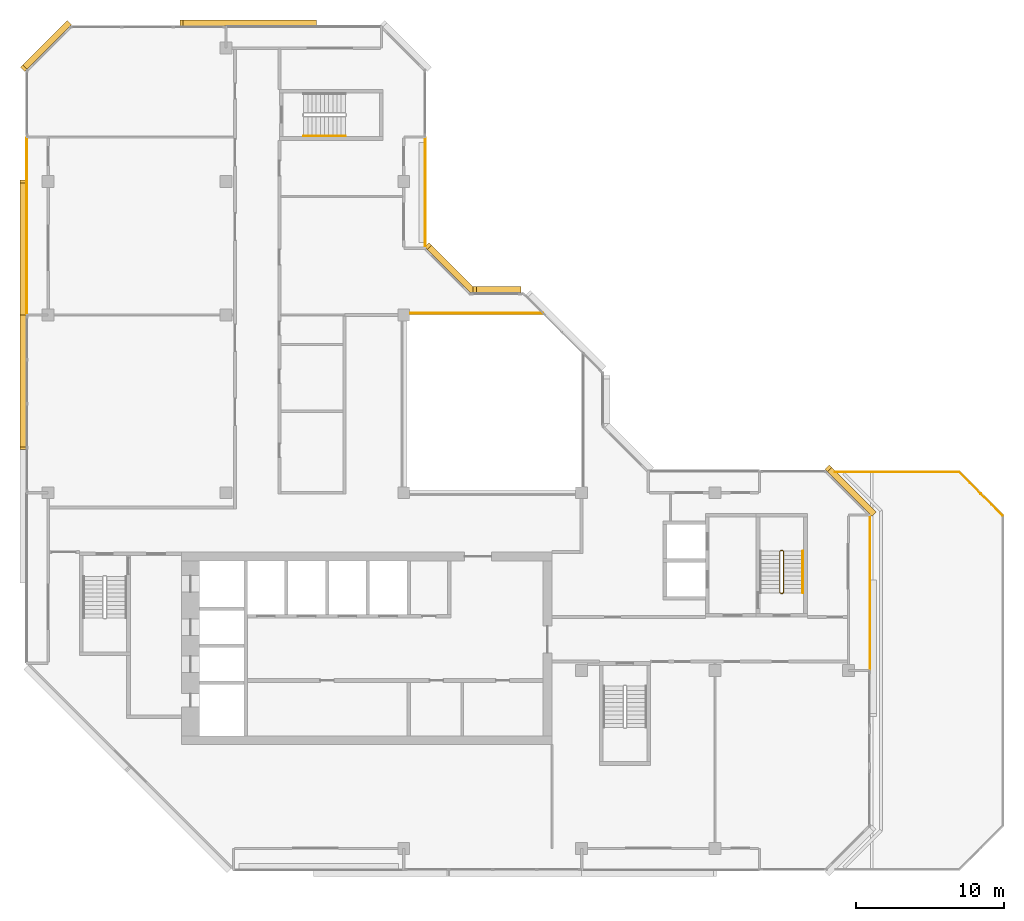
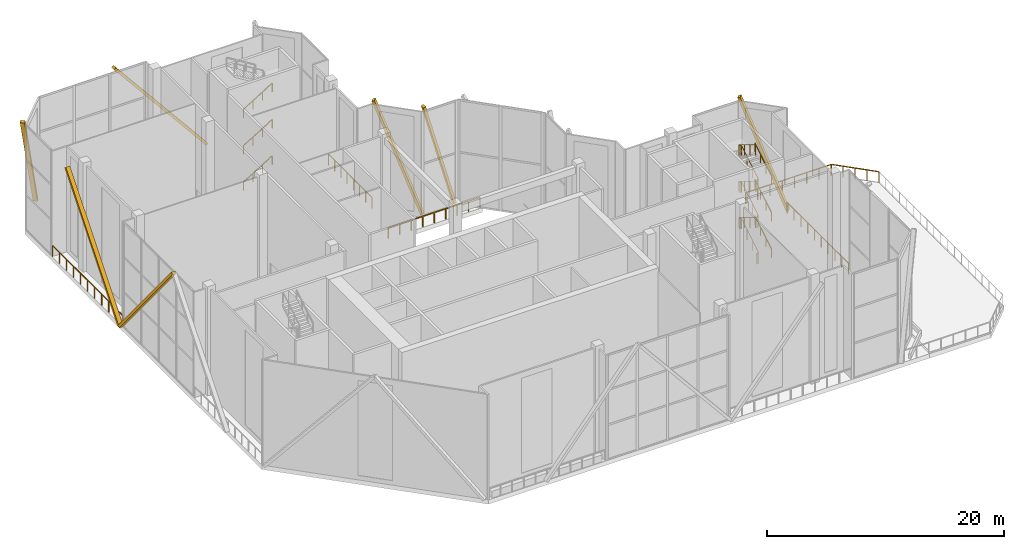
# One storey, part 15 of 16: 12 railings, 7 coverings.
"""IFC4 building model written with IfcOpenShell, lengths in metres."""

from ifc_helpers import new_model, si_unit, direction, frame, origin, origin_2d, place, context, subcontext, project, spatial, rectangle, extrude, material, material_profile, profile_set, type_object, element, save


model = new_model("IFC4")

# Units and contexts
model_context = context("Model", 3, precision=1e-05, world=origin(), true_north=direction((0.0, 1.0)))
body_context = subcontext(model_context, "Body", "Model", "MODEL_VIEW")
ifc_project = project(units=[si_unit("LENGTHUNIT", "METRE"), si_unit("AREAUNIT", "SQUARE_METRE"), si_unit("VOLUMEUNIT", "CUBIC_METRE"), si_unit("PLANEANGLEUNIT", "RADIAN"), si_unit("MASSUNIT", "GRAM", prefix="KILO")], contexts=[model_context])

# Site, building, storey
site_placement = place(None, origin())
site = spatial("IfcSite", under=ifc_project, at=site_placement, CompositionType="ELEMENT")
building_placement = place(site_placement, origin())
building = spatial("IfcBuilding", under=site, at=building_placement, Name="Chenar Terraces", CompositionType="ELEMENT")
storey_placement = place(building_placement, frame((0.0, 0.0, 327.64990234375)))
storey = spatial("IfcBuildingStorey", under=building, at=storey_placement, Name="L77", CompositionType="ELEMENT", Elevation=327.64990234375)

# Railings
ifc_material_1 = material(Name="Powder-coated steel", Category="steel")
railing_type_1 = type_object("IfcRailingType", Name="Guard 1100 steel rail with glass infill", PredefinedType="GUARDRAIL", material=ifc_material_1)
railing_1_placement = place(storey_placement, frame((24.449951171875, 36.10009765625, 0.0)))
element("IfcRailing", 1, at=railing_1_placement, inside=storey, type_object=railing_type_1, Name="Guard L77-2", PredefinedType="GUARDRAIL", context=body_context, shape_type="SweptSolid", body=[
    extrude(rectangle(XDim=0.06005859375, YDim=0.06005859375, at=origin_2d()), frame((0.0, 0.0, 1.070068359375), z_axis=(1.0, 0.0, 0.0), x_axis=(0.0, 1.0, 0.0)), (0.0, 0.0, 1.0), 8.949951171875),
    extrude(rectangle(XDim=0.050048828125, YDim=0.050048828125, at=origin_2d()), origin(), (0.0, 0.0, 1.0), 1.0400390625),
    extrude(rectangle(XDim=0.050048828125, YDim=0.050048828125, at=origin_2d()), frame((1.11865234375, 0.0, 0.0)), (0.0, 0.0, 1.0), 1.0400390625),
    extrude(rectangle(XDim=0.050048828125, YDim=0.050048828125, at=origin_2d()), frame((2.237548828125, 0.0, 0.0)), (0.0, 0.0, 1.0), 1.0400390625),
    extrude(rectangle(XDim=0.050048828125, YDim=0.050048828125, at=origin_2d()), frame((3.356201171875, 0.0, 0.0)), (0.0, 0.0, 1.0), 1.0400390625),
    extrude(rectangle(XDim=0.050048828125, YDim=0.050048828125, at=origin_2d()), frame((4.47509765625, 0.0, 0.0)), (0.0, 0.0, 1.0), 1.0400390625),
    extrude(rectangle(XDim=0.050048828125, YDim=0.050048828125, at=origin_2d()), frame((5.59375, 0.0, 0.0)), (0.0, 0.0, 1.0), 1.0400390625),
    extrude(rectangle(XDim=0.050048828125, YDim=0.050048828125, at=origin_2d()), frame((6.71240234375, 0.0, 0.0)), (0.0, 0.0, 1.0), 1.0400390625),
    extrude(rectangle(XDim=0.050048828125, YDim=0.050048828125, at=origin_2d()), frame((7.831298828125, 0.0, 0.0)), (0.0, 0.0, 1.0), 1.0400390625),
    extrude(rectangle(XDim=0.050048828125, YDim=0.050048828125, at=origin_2d()), frame((8.949951171875, 0.0, 0.0)), (0.0, 0.0, 1.0), 1.0400390625),
])
ifc_material_2 = material(Name="Stainless steel and glass", Category="steel")
railing_type_2 = type_object("IfcRailingType", Name="Loggia guard 1150", PredefinedType="GUARDRAIL", material=ifc_material_2)
railing_2_placement = place(storey_placement, frame((25.449951171875, 40.574951171875, 0.0)))
element("IfcRailing", 2, at=railing_2_placement, inside=storey, type_object=railing_type_2, Name="Loggia guard", PredefinedType="GUARDRAIL", context=body_context, shape_type="SweptSolid", body=[
    extrude(rectangle(XDim=0.048095703125, YDim=0.048095703125, at=origin_2d()), frame((0.0, 0.0, 1.1259765625), z_axis=(0.0, 1.0, 0.0), x_axis=(-1.0, 0.0, 0.0)), (0.0, 0.0, 1.0), 7.35009765625),
    extrude(rectangle(XDim=0.0419921875, YDim=0.0419921875, at=origin_2d()), origin(), (0.0, 0.0, 1.0), 1.101806640625),
    extrude(rectangle(XDim=0.0419921875, YDim=0.0419921875, at=origin_2d()), frame((0.0, 1.050048828125, 0.0)), (0.0, 0.0, 1.0), 1.101806640625),
    extrude(rectangle(XDim=0.0419921875, YDim=0.0419921875, at=origin_2d()), frame((0.0, 2.10009765625, 0.0)), (0.0, 0.0, 1.0), 1.101806640625),
    extrude(rectangle(XDim=0.0419921875, YDim=0.0419921875, at=origin_2d()), frame((0.0, 3.150146484375, 0.0)), (0.0, 0.0, 1.0), 1.101806640625),
    extrude(rectangle(XDim=0.0419921875, YDim=0.0419921875, at=origin_2d()), frame((0.0, 4.199951171875, 0.0)), (0.0, 0.0, 1.0), 1.101806640625),
    extrude(rectangle(XDim=0.0419921875, YDim=0.0419921875, at=origin_2d()), frame((0.0, 5.25, 0.0)), (0.0, 0.0, 1.0), 1.101806640625),
    extrude(rectangle(XDim=0.0419921875, YDim=0.0419921875, at=origin_2d()), frame((0.0, 6.300048828125, 0.0)), (0.0, 0.0, 1.0), 1.101806640625),
    extrude(rectangle(XDim=0.0419921875, YDim=0.0419921875, at=origin_2d()), frame((0.0, 7.35009765625, 0.0)), (0.0, 0.0, 1.0), 1.101806640625),
])
railing_3_placement = place(storey_placement, frame((55.449951171875, 12.074951171875, 0.0)))
element("IfcRailing", 3, at=railing_3_placement, inside=storey, type_object=railing_type_2, Name="Loggia guard", PredefinedType="GUARDRAIL", context=body_context, shape_type="SweptSolid", body=[
    extrude(rectangle(XDim=0.048095703125, YDim=0.048095703125, at=origin_2d()), frame((0.0, 0.0, 1.1259765625), z_axis=(0.0, 1.0, 0.0), x_axis=(-1.0, 0.0, 0.0)), (0.0, 0.0, 1.0), 10.35009765625),
    extrude(rectangle(XDim=0.0419921875, YDim=0.0419921875, at=origin_2d()), origin(), (0.0, 0.0, 1.0), 1.101806640625),
    extrude(rectangle(XDim=0.0419921875, YDim=0.0419921875, at=origin_2d()), frame((0.0, 1.14990234375, 0.0)), (0.0, 0.0, 1.0), 1.101806640625),
    extrude(rectangle(XDim=0.0419921875, YDim=0.0419921875, at=origin_2d()), frame((0.0, 2.300048828125, 0.0)), (0.0, 0.0, 1.0), 1.101806640625),
    extrude(rectangle(XDim=0.0419921875, YDim=0.0419921875, at=origin_2d()), frame((0.0, 3.449951171875, 0.0)), (0.0, 0.0, 1.0), 1.101806640625),
    extrude(rectangle(XDim=0.0419921875, YDim=0.0419921875, at=origin_2d()), frame((0.0, 4.60009765625, 0.0)), (0.0, 0.0, 1.0), 1.101806640625),
    extrude(rectangle(XDim=0.0419921875, YDim=0.0419921875, at=origin_2d()), frame((0.0, 5.75, 0.0)), (0.0, 0.0, 1.0), 1.101806640625),
    extrude(rectangle(XDim=0.0419921875, YDim=0.0419921875, at=origin_2d()), frame((0.0, 6.900146484375, 0.0)), (0.0, 0.0, 1.0), 1.101806640625),
    extrude(rectangle(XDim=0.0419921875, YDim=0.0419921875, at=origin_2d()), frame((0.0, 8.050048828125, 0.0)), (0.0, 0.0, 1.0), 1.101806640625),
    extrude(rectangle(XDim=0.0419921875, YDim=0.0419921875, at=origin_2d()), frame((0.0, 9.2001953125, 0.0)), (0.0, 0.0, 1.0), 1.101806640625),
    extrude(rectangle(XDim=0.0419921875, YDim=0.0419921875, at=origin_2d()), frame((0.0, 10.35009765625, 0.0)), (0.0, 0.0, 1.0), 1.101806640625),
])
railing_4_placement = place(storey_placement, frame((-1.449951171875, 47.925048828125, 0.0)))
element("IfcRailing", 4, at=railing_4_placement, inside=storey, type_object=railing_type_2, Name="Loggia guard", PredefinedType="GUARDRAIL", context=body_context, shape_type="SweptSolid", body=[
    extrude(rectangle(XDim=0.048095703125, YDim=0.048095703125, at=origin_2d()), frame((0.0, 0.0, 1.1259765625), z_axis=(0.0, -1.0, 0.0), x_axis=(1.0, 0.0, 0.0)), (0.0, 0.0, 1.0), 11.85009765625),
    extrude(rectangle(XDim=0.0419921875, YDim=0.0419921875, at=origin_2d()), origin(), (0.0, 0.0, 1.0), 1.101806640625),
    extrude(rectangle(XDim=0.0419921875, YDim=0.0419921875, at=origin_2d()), frame((0.0, -1.18505859375, 0.0)), (0.0, 0.0, 1.0), 1.101806640625),
    extrude(rectangle(XDim=0.0419921875, YDim=0.0419921875, at=origin_2d()), frame((0.0, -2.3701171875, 0.0)), (0.0, 0.0, 1.0), 1.101806640625),
    extrude(rectangle(XDim=0.0419921875, YDim=0.0419921875, at=origin_2d()), frame((0.0, -3.554931640625, 0.0)), (0.0, 0.0, 1.0), 1.101806640625),
    extrude(rectangle(XDim=0.0419921875, YDim=0.0419921875, at=origin_2d()), frame((0.0, -4.739990234375, 0.0)), (0.0, 0.0, 1.0), 1.101806640625),
    extrude(rectangle(XDim=0.0419921875, YDim=0.0419921875, at=origin_2d()), frame((0.0, -5.925048828125, 0.0)), (0.0, 0.0, 1.0), 1.101806640625),
    extrude(rectangle(XDim=0.0419921875, YDim=0.0419921875, at=origin_2d()), frame((0.0, -7.110107421875, 0.0)), (0.0, 0.0, 1.0), 1.101806640625),
    extrude(rectangle(XDim=0.0419921875, YDim=0.0419921875, at=origin_2d()), frame((0.0, -8.295166015625, 0.0)), (0.0, 0.0, 1.0), 1.101806640625),
    extrude(rectangle(XDim=0.0419921875, YDim=0.0419921875, at=origin_2d()), frame((0.0, -9.47998046875, 0.0)), (0.0, 0.0, 1.0), 1.101806640625),
    extrude(rectangle(XDim=0.0419921875, YDim=0.0419921875, at=origin_2d()), frame((0.0, -10.6650390625, 0.0)), (0.0, 0.0, 1.0), 1.101806640625),
    extrude(rectangle(XDim=0.0419921875, YDim=0.0419921875, at=origin_2d()), frame((0.0, -11.85009765625, 0.0)), (0.0, 0.0, 1.0), 1.101806640625),
])
ifc_material_3 = material(Name="Powder-coated steel", Category="steel")
railing_type_3 = type_object("IfcRailingType", Name="Stair guard 1100", PredefinedType="GUARDRAIL", material=ifc_material_3)
railing_5_placement = place(storey_placement, frame((49.375, 17.25, 11.25)))
element("IfcRailing", 5, at=railing_5_placement, inside=storey, type_object=railing_type_3, Name="L77 ST3 stair guard 1", PredefinedType="GUARDRAIL", context=body_context, shape_type="SweptSolid", body=[
    extrude(rectangle(XDim=0.048095703125, YDim=0.048095703125, at=origin_2d()), frame((0.0, 0.0, 1.076171875), z_axis=(0.0, 0.854202870247, -0.519939858505), x_axis=(-1.0, 0.0, 0.0)), (0.0, 0.0, 1.0), 3.278076171875),
    extrude(rectangle(XDim=0.048095703125, YDim=0.048095703125, at=origin_2d()), frame((0.0, 2.800048828125, -0.62841796875), z_axis=(0.270899902878, 0.270899902878, -0.923702595667), x_axis=(-0.707106781187, 0.707106781187, 0.0)), (0.0, 0.0, 1.0), 0.184814453125),
    extrude(rectangle(XDim=0.048095703125, YDim=0.048095703125, at=origin_2d()), frame((0.050048828125, 2.85009765625, -0.798828125), z_axis=(1.0, 0.0, 0.0), x_axis=(0.0, 1.0, 0.0)), (0.0, 0.0, 1.0), 0.14990234375),
    extrude(rectangle(XDim=0.048095703125, YDim=0.048095703125, at=origin_2d()), frame((0.199951171875, 2.85009765625, -0.798828125), z_axis=(0.707106781187, -0.707106781187, 0.0), x_axis=(0.707106781187, 0.707106781187, 0.0)), (0.0, 0.0, 1.0), 0.07080078125),
    extrude(rectangle(XDim=0.048095703125, YDim=0.048095703125, at=origin_2d()), frame((0.25, 2.800048828125, -0.798828125), z_axis=(0.0, -0.854202870247, -0.519939858505), x_axis=(1.0, 0.0, 0.0)), (0.0, 0.0, 1.0), 3.278076171875),
    extrude(rectangle(XDim=0.048095703125, YDim=0.048095703125, at=origin_2d()), frame((0.25, 0.0, -2.50341796875), z_axis=(-0.747209590826, -0.187030483662, -0.637728332097), x_axis=(0.242814311512, -0.970072785993, 0.0)), (0.0, 0.0, 1.0), 0.267578125),
    extrude(rectangle(XDim=0.048095703125, YDim=0.048095703125, at=origin_2d()), frame((0.050048828125, -0.050048828125, -2.673828125), z_axis=(1.0, 0.0, 0.0), x_axis=(0.0, 1.0, 0.0)), (0.0, 0.0, 1.0), 0.14990234375),
    extrude(rectangle(XDim=0.048095703125, YDim=0.048095703125, at=origin_2d()), frame((0.199951171875, -0.050048828125, -2.673828125), z_axis=(-0.970072785993, 0.242814311512, 0.0), x_axis=(-0.242814311512, -0.970072785993, 0.0)), (0.0, 0.0, 1.0), 0.2060546875),
    extrude(rectangle(XDim=0.048095703125, YDim=0.048095703125, at=origin_2d()), frame((0.0, 0.0, -2.673828125), z_axis=(0.0, 0.854202870247, -0.519939858505), x_axis=(-1.0, 0.0, 0.0)), (0.0, 0.0, 1.0), 3.278076171875),
    extrude(rectangle(XDim=0.048095703125, YDim=0.048095703125, at=origin_2d()), frame((0.0, 2.800048828125, -4.37841796875), z_axis=(0.270899902878, 0.270899902878, -0.923702595667), x_axis=(-0.707106781187, 0.707106781187, 0.0)), (0.0, 0.0, 1.0), 0.184814453125),
    extrude(rectangle(XDim=0.048095703125, YDim=0.048095703125, at=origin_2d()), frame((0.050048828125, 2.85009765625, -4.548828125), z_axis=(1.0, 0.0, 0.0), x_axis=(0.0, 1.0, 0.0)), (0.0, 0.0, 1.0), 0.14990234375),
    extrude(rectangle(XDim=0.048095703125, YDim=0.048095703125, at=origin_2d()), frame((0.199951171875, 2.85009765625, -4.548828125), z_axis=(0.707106781187, -0.707106781187, 0.0), x_axis=(0.707106781187, 0.707106781187, 0.0)), (0.0, 0.0, 1.0), 0.07080078125),
    extrude(rectangle(XDim=0.048095703125, YDim=0.048095703125, at=origin_2d()), frame((0.25, 2.800048828125, -4.548828125), z_axis=(0.0, -0.854202870247, -0.519939858505), x_axis=(1.0, 0.0, 0.0)), (0.0, 0.0, 1.0), 3.278076171875),
    extrude(rectangle(XDim=0.048095703125, YDim=0.048095703125, at=origin_2d()), frame((0.25, 0.0, -6.25341796875), z_axis=(-0.747209590826, -0.187030483662, -0.637728332097), x_axis=(0.242814311512, -0.970072785993, 0.0)), (0.0, 0.0, 1.0), 0.267578125),
    extrude(rectangle(XDim=0.048095703125, YDim=0.048095703125, at=origin_2d()), frame((0.050048828125, -0.050048828125, -6.423828125), z_axis=(1.0, 0.0, 0.0), x_axis=(0.0, 1.0, 0.0)), (0.0, 0.0, 1.0), 0.14990234375),
    extrude(rectangle(XDim=0.048095703125, YDim=0.048095703125, at=origin_2d()), frame((0.199951171875, -0.050048828125, -6.423828125), z_axis=(-0.970072785993, 0.242814311512, 0.0), x_axis=(-0.242814311512, -0.970072785993, 0.0)), (0.0, 0.0, 1.0), 0.2060546875),
    extrude(rectangle(XDim=0.048095703125, YDim=0.048095703125, at=origin_2d()), frame((0.0, 0.0, -6.423828125), z_axis=(0.0, 0.854202870247, -0.519939858505), x_axis=(-1.0, 0.0, 0.0)), (0.0, 0.0, 1.0), 3.278076171875),
    extrude(rectangle(XDim=0.048095703125, YDim=0.048095703125, at=origin_2d()), frame((0.0, 2.800048828125, -8.12841796875), z_axis=(0.270899902878, 0.270899902878, -0.923702595667), x_axis=(-0.707106781187, 0.707106781187, 0.0)), (0.0, 0.0, 1.0), 0.184814453125),
    extrude(rectangle(XDim=0.048095703125, YDim=0.048095703125, at=origin_2d()), frame((0.050048828125, 2.85009765625, -8.298828125), z_axis=(1.0, 0.0, 0.0), x_axis=(0.0, 1.0, 0.0)), (0.0, 0.0, 1.0), 0.14990234375),
    extrude(rectangle(XDim=0.048095703125, YDim=0.048095703125, at=origin_2d()), frame((0.199951171875, 2.85009765625, -8.298828125), z_axis=(0.707106781187, -0.707106781187, 0.0), x_axis=(0.707106781187, 0.707106781187, 0.0)), (0.0, 0.0, 1.0), 0.07080078125),
    extrude(rectangle(XDim=0.048095703125, YDim=0.048095703125, at=origin_2d()), frame((0.25, 2.800048828125, -8.298828125), z_axis=(0.0, -0.854202870247, -0.519939858505), x_axis=(1.0, 0.0, 0.0)), (0.0, 0.0, 1.0), 3.278076171875),
    extrude(rectangle(XDim=0.048095703125, YDim=0.048095703125, at=origin_2d()), frame((0.25, 0.0, -10.00341796875), z_axis=(-0.270899902878, -0.270899902878, -0.923702595667), x_axis=(0.707106781187, -0.707106781187, 0.0)), (0.0, 0.0, 1.0), 0.184814453125),
    extrude(rectangle(XDim=0.048095703125, YDim=0.048095703125, at=origin_2d()), frame((0.199951171875, -0.050048828125, -10.173828125), z_axis=(-1.0, 0.0, 0.0), x_axis=(0.0, -1.0, 0.0)), (0.0, 0.0, 1.0), 0.14990234375),
    extrude(rectangle(XDim=0.0419921875, YDim=0.0419921875, at=origin_2d()), origin(), (0.0, 0.0, 1.0), 1.052001953125),
    extrude(rectangle(XDim=0.0419921875, YDim=0.0419921875, at=origin_2d()), frame((0.0, 0.933349609375, -0.568115234375)), (0.0, 0.0, 1.0), 1.052001953125),
    extrude(rectangle(XDim=0.0419921875, YDim=0.0419921875, at=origin_2d()), frame((0.0, 1.86669921875, -1.13623046875)), (0.0, 0.0, 1.0), 1.052001953125),
    extrude(rectangle(XDim=0.0419921875, YDim=0.0419921875, at=origin_2d()), frame((0.0, 2.800048828125, -1.704345703125)), (0.0, 0.0, 1.0), 1.052001953125),
    extrude(rectangle(XDim=0.0419921875, YDim=0.0419921875, at=origin_2d()), frame((0.050048828125, 2.85009765625, -1.875)), (0.0, 0.0, 1.0), 1.052001953125),
    extrude(rectangle(XDim=0.0419921875, YDim=0.0419921875, at=origin_2d()), frame((0.199951171875, 2.85009765625, -1.875)), (0.0, 0.0, 1.0), 1.052001953125),
    extrude(rectangle(XDim=0.0419921875, YDim=0.0419921875, at=origin_2d()), frame((0.25, 2.800048828125, -1.875)), (0.0, 0.0, 1.0), 1.052001953125),
    extrude(rectangle(XDim=0.0419921875, YDim=0.0419921875, at=origin_2d()), frame((0.25, 1.86669921875, -2.443115234375)), (0.0, 0.0, 1.0), 1.052001953125),
    extrude(rectangle(XDim=0.0419921875, YDim=0.0419921875, at=origin_2d()), frame((0.25, 0.933349609375, -3.01123046875)), (0.0, 0.0, 1.0), 1.052001953125),
    extrude(rectangle(XDim=0.0419921875, YDim=0.0419921875, at=origin_2d()), frame((0.25, 0.0, -3.579345703125)), (0.0, 0.0, 1.0), 1.052001953125),
    extrude(rectangle(XDim=0.0419921875, YDim=0.0419921875, at=origin_2d()), frame((0.050048828125, -0.050048828125, -3.75)), (0.0, 0.0, 1.0), 1.052001953125),
    extrude(rectangle(XDim=0.0419921875, YDim=0.0419921875, at=origin_2d()), frame((0.199951171875, -0.050048828125, -3.75)), (0.0, 0.0, 1.0), 1.052001953125),
    extrude(rectangle(XDim=0.0419921875, YDim=0.0419921875, at=origin_2d()), frame((0.0, 0.0, -3.75)), (0.0, 0.0, 1.0), 1.052001953125),
    extrude(rectangle(XDim=0.0419921875, YDim=0.0419921875, at=origin_2d()), frame((0.0, 0.933349609375, -4.318115234375)), (0.0, 0.0, 1.0), 1.052001953125),
    extrude(rectangle(XDim=0.0419921875, YDim=0.0419921875, at=origin_2d()), frame((0.0, 1.86669921875, -4.88623046875)), (0.0, 0.0, 1.0), 1.052001953125),
    extrude(rectangle(XDim=0.0419921875, YDim=0.0419921875, at=origin_2d()), frame((0.0, 2.800048828125, -5.454345703125)), (0.0, 0.0, 1.0), 1.052001953125),
    extrude(rectangle(XDim=0.0419921875, YDim=0.0419921875, at=origin_2d()), frame((0.050048828125, 2.85009765625, -5.625)), (0.0, 0.0, 1.0), 1.052001953125),
    extrude(rectangle(XDim=0.0419921875, YDim=0.0419921875, at=origin_2d()), frame((0.199951171875, 2.85009765625, -5.625)), (0.0, 0.0, 1.0), 1.052001953125),
    extrude(rectangle(XDim=0.0419921875, YDim=0.0419921875, at=origin_2d()), frame((0.25, 2.800048828125, -5.625)), (0.0, 0.0, 1.0), 1.052001953125),
    extrude(rectangle(XDim=0.0419921875, YDim=0.0419921875, at=origin_2d()), frame((0.25, 1.86669921875, -6.193115234375)), (0.0, 0.0, 1.0), 1.052001953125),
    extrude(rectangle(XDim=0.0419921875, YDim=0.0419921875, at=origin_2d()), frame((0.25, 0.933349609375, -6.76123046875)), (0.0, 0.0, 1.0), 1.052001953125),
    extrude(rectangle(XDim=0.0419921875, YDim=0.0419921875, at=origin_2d()), frame((0.25, 0.0, -7.329345703125)), (0.0, 0.0, 1.0), 1.052001953125),
    extrude(rectangle(XDim=0.0419921875, YDim=0.0419921875, at=origin_2d()), frame((0.050048828125, -0.050048828125, -7.5)), (0.0, 0.0, 1.0), 1.052001953125),
    extrude(rectangle(XDim=0.0419921875, YDim=0.0419921875, at=origin_2d()), frame((0.199951171875, -0.050048828125, -7.5)), (0.0, 0.0, 1.0), 1.052001953125),
    extrude(rectangle(XDim=0.0419921875, YDim=0.0419921875, at=origin_2d()), frame((0.0, 0.0, -7.5)), (0.0, 0.0, 1.0), 1.052001953125),
    extrude(rectangle(XDim=0.0419921875, YDim=0.0419921875, at=origin_2d()), frame((0.0, 0.933349609375, -8.068115234375)), (0.0, 0.0, 1.0), 1.052001953125),
    extrude(rectangle(XDim=0.0419921875, YDim=0.0419921875, at=origin_2d()), frame((0.0, 1.86669921875, -8.63623046875)), (0.0, 0.0, 1.0), 1.052001953125),
    extrude(rectangle(XDim=0.0419921875, YDim=0.0419921875, at=origin_2d()), frame((0.0, 2.800048828125, -9.204345703125)), (0.0, 0.0, 1.0), 1.052001953125),
    extrude(rectangle(XDim=0.0419921875, YDim=0.0419921875, at=origin_2d()), frame((0.050048828125, 2.85009765625, -9.375)), (0.0, 0.0, 1.0), 1.052001953125),
    extrude(rectangle(XDim=0.0419921875, YDim=0.0419921875, at=origin_2d()), frame((0.199951171875, 2.85009765625, -9.375)), (0.0, 0.0, 1.0), 1.052001953125),
    extrude(rectangle(XDim=0.0419921875, YDim=0.0419921875, at=origin_2d()), frame((0.25, 2.800048828125, -9.375)), (0.0, 0.0, 1.0), 1.052001953125),
    extrude(rectangle(XDim=0.0419921875, YDim=0.0419921875, at=origin_2d()), frame((0.25, 1.86669921875, -9.943115234375)), (0.0, 0.0, 1.0), 1.052001953125),
    extrude(rectangle(XDim=0.0419921875, YDim=0.0419921875, at=origin_2d()), frame((0.25, 0.933349609375, -10.51123046875)), (0.0, 0.0, 1.0), 1.052001953125),
    extrude(rectangle(XDim=0.0419921875, YDim=0.0419921875, at=origin_2d()), frame((0.25, 0.0, -11.079345703125)), (0.0, 0.0, 1.0), 1.052001953125),
    extrude(rectangle(XDim=0.0419921875, YDim=0.0419921875, at=origin_2d()), frame((0.199951171875, -0.050048828125, -11.25)), (0.0, 0.0, 1.0), 1.052001953125),
    extrude(rectangle(XDim=0.0419921875, YDim=0.0419921875, at=origin_2d()), frame((0.050048828125, -0.050048828125, -11.25)), (0.0, 0.0, 1.0), 1.052001953125),
])
ifc_material_4 = material(Name="Powder-coated steel", Category="steel")
railing_type_4 = type_object("IfcRailingType", Name="Stair handrail 900", PredefinedType="HANDRAIL", material=ifc_material_4)
for number, where, name in (
    (6, (50.925048828125, 17.25, 0.170654296875), "L77 ST3 stair handrail 1"),
    (7, (50.925048828125, 17.25, 3.920654296875), "L77 ST3 stair handrail 3"),
    (8, (50.925048828125, 17.25, 7.670654296875), "L77 ST3 stair handrail 5"),
):
    element("IfcRailing", number, at=place(storey_placement, frame(where)), inside=storey, type_object=railing_type_4, Name=name, PredefinedType="HANDRAIL", context=body_context, shape_type="SweptSolid", body=[
        extrude(rectangle(XDim=0.048095703125, YDim=0.048095703125, at=origin_2d()), frame((0.0, 0.0, 0.8759765625), z_axis=(0.0, 0.854202870247, 0.519939858505), x_axis=(-1.0, 0.0, 0.0)), (0.0, 0.0, 1.0), 3.278076171875),
        extrude(rectangle(XDim=0.0419921875, YDim=0.0419921875, at=origin_2d()), origin(), (0.0, 0.0, 1.0), 0.851806640625),
        extrude(rectangle(XDim=0.0419921875, YDim=0.0419921875, at=origin_2d()), frame((0.0, 0.933349609375, 0.568115234375)), (0.0, 0.0, 1.0), 0.851806640625),
        extrude(rectangle(XDim=0.0419921875, YDim=0.0419921875, at=origin_2d()), frame((0.0, 1.86669921875, 1.13623046875)), (0.0, 0.0, 1.0), 0.851806640625),
        extrude(rectangle(XDim=0.0419921875, YDim=0.0419921875, at=origin_2d()), frame((0.0, 2.800048828125, 1.704345703125)), (0.0, 0.0, 1.0), 0.851806640625),
    ])
for number, where, name in (
    (9, (17.25, 48.074951171875, 0.170654296875), "L77 ST4 stair handrail 1"),
    (10, (17.25, 48.074951171875, 3.920654296875), "L77 ST4 stair handrail 3"),
    (11, (17.25, 48.074951171875, 7.670654296875), "L77 ST4 stair handrail 5"),
):
    element("IfcRailing", number, at=place(storey_placement, frame(where)), inside=storey, type_object=railing_type_4, Name=name, PredefinedType="HANDRAIL", context=body_context, shape_type="SweptSolid", body=[
        extrude(rectangle(XDim=0.048095703125, YDim=0.048095703125, at=origin_2d()), frame((0.0, 0.0, 0.8759765625), z_axis=(0.854202870247, 0.0, 0.519939858505), x_axis=(0.0, 1.0, 0.0)), (0.0, 0.0, 1.0), 3.278076171875),
        extrude(rectangle(XDim=0.0419921875, YDim=0.0419921875, at=origin_2d()), origin(), (0.0, 0.0, 1.0), 0.851806640625),
        extrude(rectangle(XDim=0.0419921875, YDim=0.0419921875, at=origin_2d()), frame((0.933349609375, 0.0, 0.568115234375)), (0.0, 0.0, 1.0), 0.851806640625),
        extrude(rectangle(XDim=0.0419921875, YDim=0.0419921875, at=origin_2d()), frame((1.86669921875, 0.0, 1.13623046875)), (0.0, 0.0, 1.0), 0.851806640625),
        extrude(rectangle(XDim=0.0419921875, YDim=0.0419921875, at=origin_2d()), frame((2.800048828125, 0.0, 1.704345703125)), (0.0, 0.0, 1.0), 0.851806640625),
    ])
ifc_material_5 = material(Name="Stainless steel and glass", Category="steel")
railing_type_5 = type_object("IfcRailingType", Name="Terrace guard 1150", PredefinedType="GUARDRAIL", material=ifc_material_5)
railing_6_placement = place(storey_placement, frame((53.094970703125, 25.39990234375, 0.0)))
element("IfcRailing", 12, at=railing_6_placement, inside=storey, type_object=railing_type_5, Name="Terrace guard", PredefinedType="GUARDRAIL", context=body_context, shape_type="SweptSolid", body=[
    extrude(rectangle(XDim=0.048095703125, YDim=0.048095703125, at=origin_2d()), frame((0.0, 0.0, 1.1259765625), z_axis=(1.0, 0.0, 0.0), x_axis=(0.0, 1.0, 0.0)), (0.0, 0.0, 1.0), 8.363525390625),
    extrude(rectangle(XDim=0.048095703125, YDim=0.048095703125, at=origin_2d()), frame((8.363525390625, 0.0, 1.1259765625), z_axis=(0.707106781187, -0.707106781187, 0.0), x_axis=(0.707106781187, 0.707106781187, 0.0)), (0.0, 0.0, 1.0), 4.15966796875),
    extrude(rectangle(XDim=0.0419921875, YDim=0.0419921875, at=origin_2d()), origin(), (0.0, 0.0, 1.0), 1.101806640625),
    extrude(rectangle(XDim=0.0419921875, YDim=0.0419921875, at=origin_2d()), frame((1.19482421875, 0.0, 0.0)), (0.0, 0.0, 1.0), 1.101806640625),
    extrude(rectangle(XDim=0.0419921875, YDim=0.0419921875, at=origin_2d()), frame((2.3896484375, 0.0, 0.0)), (0.0, 0.0, 1.0), 1.101806640625),
    extrude(rectangle(XDim=0.0419921875, YDim=0.0419921875, at=origin_2d()), frame((3.58447265625, 0.0, 0.0)), (0.0, 0.0, 1.0), 1.101806640625),
    extrude(rectangle(XDim=0.0419921875, YDim=0.0419921875, at=origin_2d()), frame((4.779052734375, 0.0, 0.0)), (0.0, 0.0, 1.0), 1.101806640625),
    extrude(rectangle(XDim=0.0419921875, YDim=0.0419921875, at=origin_2d()), frame((5.973876953125, 0.0, 0.0)), (0.0, 0.0, 1.0), 1.101806640625),
    extrude(rectangle(XDim=0.0419921875, YDim=0.0419921875, at=origin_2d()), frame((7.168701171875, 0.0, 0.0)), (0.0, 0.0, 1.0), 1.101806640625),
    extrude(rectangle(XDim=0.0419921875, YDim=0.0419921875, at=origin_2d()), frame((8.363525390625, 0.0, 0.0)), (0.0, 0.0, 1.0), 1.101806640625),
    extrude(rectangle(XDim=0.0419921875, YDim=0.0419921875, at=origin_2d()), frame((9.098876953125, -0.7353515625, 0.0)), (0.0, 0.0, 1.0), 1.101806640625),
    extrude(rectangle(XDim=0.0419921875, YDim=0.0419921875, at=origin_2d()), frame((9.834228515625, -1.470703125, 0.0)), (0.0, 0.0, 1.0), 1.101806640625),
    extrude(rectangle(XDim=0.0419921875, YDim=0.0419921875, at=origin_2d()), frame((10.569580078125, -2.2060546875, 0.0)), (0.0, 0.0, 1.0), 1.101806640625),
    extrude(rectangle(XDim=0.0419921875, YDim=0.0419921875, at=origin_2d()), frame((11.304931640625, -2.94140625, 0.0)), (0.0, 0.0, 1.0), 1.101806640625),
])

# Coverings
ifc_material_6 = material(Name="Terracotta", Category="masonry")
ifc_material_profile = material_profile(ifc_material_6, rectangle(XDim=0.39990234375, YDim=0.25, at=origin_2d()), Name="Terracotta baguette 400 x 250")
ifc_profile_set = profile_set([ifc_material_profile], Name="Terracotta")
covering_type = type_object("IfcCoveringType", Name="Terracotta baguette 400 x 250", PredefinedType="CLADDING", material=ifc_profile_set)
covering_1_placement = place(storey_placement, frame((31.800048828125, 37.699951171875, 0.150146484375), z_axis=(-0.26423624309, 0.0, 0.964457986559), x_axis=(0.0, -1.0, 0.0)))
element("IfcCovering", 13, at=covering_1_placement, inside=storey, type_object=covering_type, Name="Terracotta baguette", PredefinedType="CLADDING", context=body_context, shape_type="SweptSolid", body=[
    extrude(rectangle(XDim=0.39990234375, YDim=0.25, at=origin_2d()), origin(), (0.0, 0.0, 1.0), 11.353515625),
])
covering_2_placement = place(storey_placement, frame((28.641357421875, 37.641357421875, 0.150146484375), z_axis=(-0.255468212233, 0.255468212233, 0.932454816641), x_axis=(-0.707106781187, -0.707106781187, 0.0)))
element("IfcCovering", 14, at=covering_2_placement, inside=storey, type_object=covering_type, Name="Terracotta baguette", PredefinedType="CLADDING", context=body_context, shape_type="SweptSolid", body=[
    extrude(rectangle(XDim=0.39990234375, YDim=0.25, at=origin_2d()), origin(), (0.0, 0.0, 1.0), 11.7431640625),
])
covering_3_placement = place(storey_placement, frame((18.0, 55.699951171875, 0.150146484375), z_axis=(-0.634966765532, 0.0, 0.772539453148), x_axis=(0.0, -1.0, 0.0)))
element("IfcCovering", 15, at=covering_3_placement, inside=storey, type_object=covering_type, Name="Terracotta baguette", PredefinedType="CLADDING", context=body_context, shape_type="SweptSolid", body=[
    extrude(rectangle(XDim=0.39990234375, YDim=0.25, at=origin_2d()), origin(), (0.0, 0.0, 1.0), 14.174072265625),
])
covering_4_placement = place(storey_placement, frame((1.358642578125, 55.641357421875, 0.150146484375), z_axis=(-0.255468212233, -0.255468212233, 0.932454816641), x_axis=(0.707106781187, -0.707106781187, 0.0)))
element("IfcCovering", 16, at=covering_4_placement, inside=storey, type_object=covering_type, Name="Terracotta baguette", PredefinedType="CLADDING", context=body_context, shape_type="SweptSolid", body=[
    extrude(rectangle(XDim=0.39990234375, YDim=0.25, at=origin_2d()), origin(), (0.0, 0.0, 1.0), 11.7431640625),
])
for number, where, z_axis, x_axis, name in (
    (17, (-1.699951171875, 45.0, 11.10009765625), (0.0, -0.634966765532, -0.772539453148), (1.0, 0.0, 0.0), "Terracotta baguette"),
    (18, (-1.699951171875, 36.0, 0.150146484375), (0.0, -0.634966765532, 0.772539453148), (1.0, 0.0, 0.0), "Terracotta baguette"),
):
    element("IfcCovering", number, at=place(storey_placement, frame(where, z_axis=z_axis, x_axis=x_axis)), inside=storey, type_object=covering_type, Name=name, PredefinedType="CLADDING", context=body_context, shape_type="SweptSolid", body=[
        extrude(rectangle(XDim=0.39990234375, YDim=0.25, at=origin_2d()), origin(), (0.0, 0.0, 1.0), 14.174072265625),
    ])
covering_5_placement = place(storey_placement, frame((55.641357421875, 22.641357421875, 0.150146484375), z_axis=(-0.255468212233, 0.255468212233, 0.932454816641), x_axis=(-0.707106781187, -0.707106781187, 0.0)))
element("IfcCovering", 19, at=covering_5_placement, inside=storey, type_object=covering_type, Name="Terracotta baguette", PredefinedType="CLADDING", context=body_context, shape_type="SweptSolid", body=[
    extrude(rectangle(XDim=0.39990234375, YDim=0.25, at=origin_2d()), origin(), (0.0, 0.0, 1.0), 11.7431640625),
])

save(model, "model.ifc")
